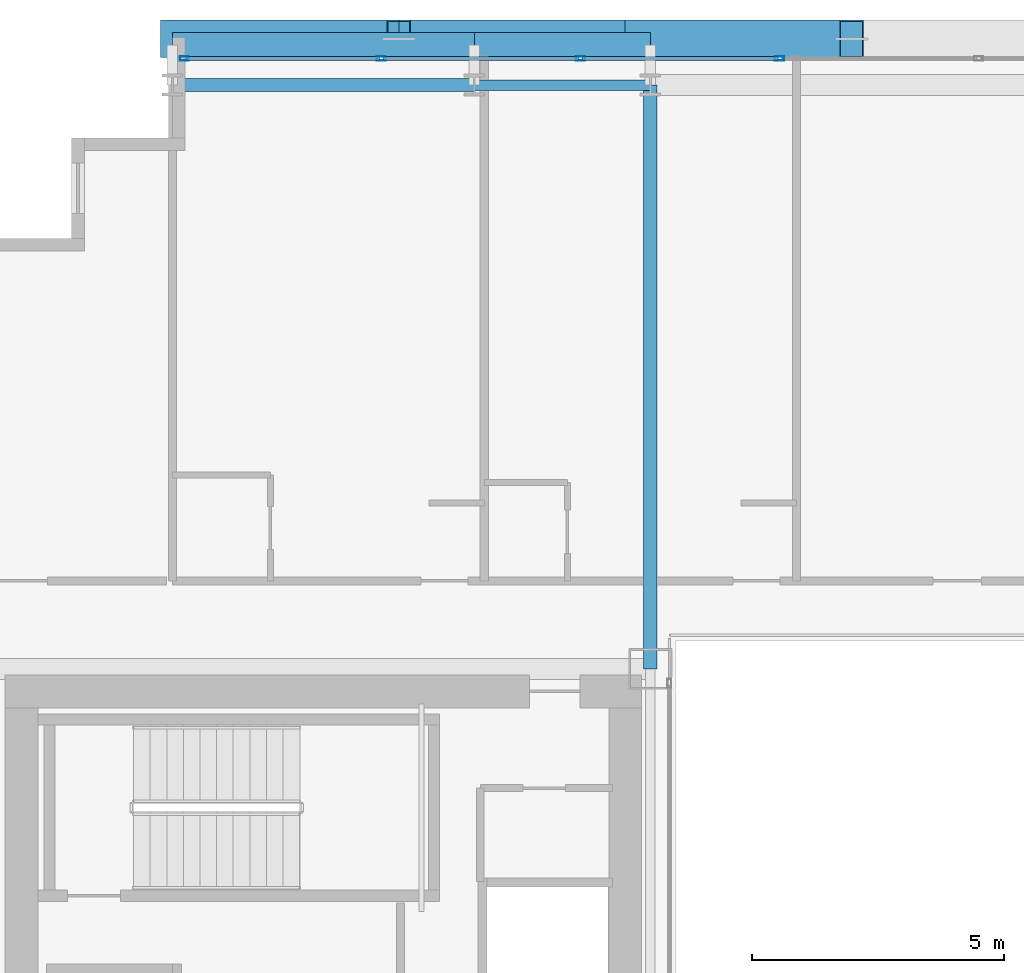
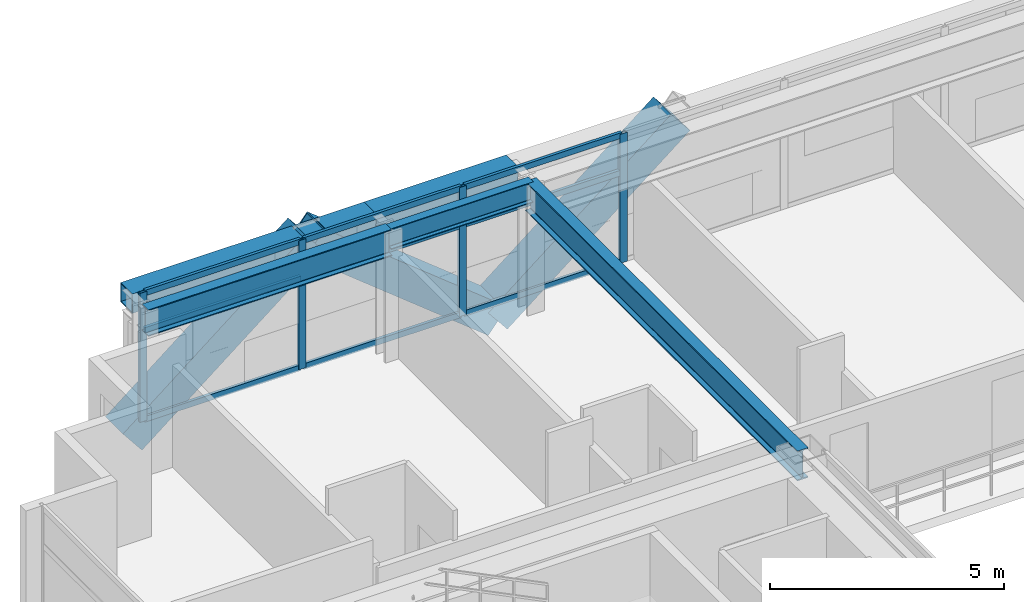
# One storey, part 21 of 39: 16 members, 5 beams, 1 element without a shape of its own.
"""IFC4 building model written with IfcOpenShell, lengths in metres."""

from ifc_helpers import new_model, si_unit, direction, frame, origin, origin_2d, place, context, subcontext, project, spatial, hollow_rectangle, i_section, extrude, source, transform, mapped, material, layer, layer_set, material_profile, profile_set, type_object, element, aggregate, save


model = new_model("IFC4")

# Units and contexts
model_context = context("Model", 3, precision=1e-05, world=origin(), true_north=direction((0.0, 1.0)))
body_context = subcontext(model_context, "Body", "Model", "MODEL_VIEW")
ifc_project = project(units=[si_unit("LENGTHUNIT", "METRE"), si_unit("AREAUNIT", "SQUARE_METRE"), si_unit("VOLUMEUNIT", "CUBIC_METRE"), si_unit("PLANEANGLEUNIT", "RADIAN"), si_unit("MASSUNIT", "GRAM", prefix="KILO")], contexts=[model_context])

# Site, building, storey
site_placement = place(None, origin())
site = spatial("IfcSite", under=ifc_project, at=site_placement, CompositionType="ELEMENT")
building_placement = place(site_placement, origin())
building = spatial("IfcBuilding", under=site, at=building_placement, Name="Ocotamira Hotel", CompositionType="ELEMENT")
storey_placement = place(building_placement, frame((0.0, 0.0, 126.0)))
storey = spatial("IfcBuildingStorey", under=building, at=storey_placement, Name="L31", CompositionType="ELEMENT", Elevation=126.0)

# Beams
ifc_material_1 = material(Name="Steel ASTM A992 Grade 50", Category="steel")
ifc_material_profile_1 = material_profile(ifc_material_1, i_section(OverallWidth=0.256103515625, OverallDepth=0.693115234375, WebThickness=0.014404296875, FlangeThickness=0.023681640625, FilletRadius=0.01611328125, at=origin_2d()), Name="W27X114")
ifc_profile_set_1 = profile_set([ifc_material_profile_1], Name="Steel ASTM A992 Grade 50")
beam_type_1 = type_object("IfcBeamType", Name="BM-PRIM-W27X114", PredefinedType="BEAM", material=ifc_profile_set_1)
shared_shape_1 = source(origin(), body_context, "Body", "SweptSolid", [
    extrude(i_section(OverallWidth=0.256103515625, OverallDepth=0.693115234375, WebThickness=0.014404296875, FlangeThickness=0.023681640625, FilletRadius=0.01611328125, at=origin_2d()), origin(), (0.0, 0.0, 1.0), 6.0),
])
beam_1_placement = place(storey_placement, frame((14.0, 49.050048828125, 3.013427734375), z_axis=(1.0, 0.0, 0.0), x_axis=(0.0, 1.0, 0.0)))
element("IfcBeam", 1, at=beam_1_placement, inside=storey, type_object=beam_type_1, Name="L31 Girder Y49.05 X14-20", PredefinedType="BEAM", context=body_context, shape_type="MappedRepresentation", body=[
    mapped(shared_shape_1, transform((0.0, 0.0, 0.0), scale=1.0)),
])
ifc_material_profile_2 = material_profile(ifc_material_1, i_section(OverallWidth=0.2099609375, OverallDepth=0.537109375, WebThickness=0.010986328125, FlangeThickness=0.017333984375, FilletRadius=0.012939453125, at=origin_2d()), Name="W21X68")
ifc_profile_set_2 = profile_set([ifc_material_profile_2], Name="Steel ASTM A992 Grade 50")
beam_type_2 = type_object("IfcBeamType", Name="BM-SEC-W21X68", PredefinedType="JOIST", material=ifc_profile_set_2)
shared_shape_2 = source(origin(), body_context, "Body", "SweptSolid", [
    extrude(i_section(OverallWidth=0.2099609375, OverallDepth=0.537109375, WebThickness=0.010986328125, FlangeThickness=0.017333984375, FilletRadius=0.012939453125, at=origin_2d()), origin(), (0.0, 0.0, 1.0), 3.5),
])
beam_2_placement = place(storey_placement, frame((20.0, 49.050048828125, 3.091552734375), z_axis=(1.0, 0.0, 0.0), x_axis=(0.0, 1.0, 0.0)))
element("IfcBeam", 2, at=beam_2_placement, inside=storey, type_object=beam_type_2, Name="L31 Girder Y49.05 X20-23.5", PredefinedType="JOIST", context=body_context, shape_type="MappedRepresentation", body=[
    mapped(shared_shape_2, transform((0.0, 0.0, 0.0), scale=1.0)),
])
ifc_material_profile_3 = material_profile(ifc_material_1, i_section(OverallWidth=0.26611328125, OverallDepth=0.779052734375, WebThickness=0.0166015625, FlangeThickness=0.030029296875, FilletRadius=0.01806640625, at=origin_2d()), Name="W30X148")
ifc_profile_set_3 = profile_set([ifc_material_profile_3], Name="Steel ASTM A992 Grade 50")
beam_type_3 = type_object("IfcBeamType", Name="BM-GIRD-W30X148", PredefinedType="BEAM", material=ifc_profile_set_3)
shared_shape_3 = source(origin(), body_context, "Body", "SweptSolid", [
    extrude(i_section(OverallWidth=0.26611328125, OverallDepth=0.779052734375, WebThickness=0.0166015625, FlangeThickness=0.030029296875, FilletRadius=0.01806640625, at=origin_2d()), origin(), (0.0, 0.0, 1.0), 11.60009765625),
])
beam_3_placement = place(storey_placement, frame((23.5, 37.449951171875, 2.970458984375), z_axis=(0.0, 1.0, 0.0), x_axis=(-1.0, 0.0, 0.0)))
element("IfcBeam", 3, at=beam_3_placement, inside=storey, type_object=beam_type_3, Name="L31 Beam X23.5 Y37.45-49.05", PredefinedType="BEAM", context=body_context, shape_type="MappedRepresentation", body=[
    mapped(shared_shape_3, transform((0.0, 0.0, 0.0), scale=1.0)),
])
ifc_material_2 = material(Name="Steel ASTM A500 Grade C", Category="steel")
ifc_material_profile_4 = material_profile(ifc_material_2, hollow_rectangle(XDim=0.5, YDim=0.5, WallThickness=0.02001953125, at=origin_2d()), Name="HSS500X500X20")
ifc_profile_set_4 = profile_set([ifc_material_profile_4], Name="Steel ASTM A500 Grade C")
beam_type_4 = type_object("IfcBeamType", Name="BM-SPAN-HSS500", PredefinedType="USERDEFINED", material=ifc_profile_set_4)
shared_shape_4 = source(origin(), body_context, "Body", "SweptSolid", [
    extrude(hollow_rectangle(XDim=0.5, YDim=0.5, WallThickness=0.02001953125, at=origin_2d()), origin(), (0.0, 0.0, 1.0), 6.0),
])
beam_4_placement = place(storey_placement, frame((14.0, 49.85009765625, 3.110107421875), z_axis=(1.0, 0.0, 0.0), x_axis=(0.0, 1.0, 0.0)))
element("IfcBeam", 4, at=beam_4_placement, inside=storey, type_object=beam_type_4, Name="L31 Edge Spandrel N X14-20", ObjectType="SPANDREL", PredefinedType="USERDEFINED", context=body_context, shape_type="MappedRepresentation", body=[
    mapped(shared_shape_4, transform((0.0, 0.0, 0.0), scale=1.0)),
])
shared_shape_5 = source(origin(), body_context, "Body", "SweptSolid", [
    extrude(hollow_rectangle(XDim=0.5, YDim=0.5, WallThickness=0.02001953125, at=origin_2d()), origin(), (0.0, 0.0, 1.0), 3.5),
])
beam_5_placement = place(storey_placement, frame((20.0, 49.85009765625, 3.110107421875), z_axis=(1.0, 0.0, 0.0), x_axis=(0.0, 1.0, 0.0)))
element("IfcBeam", 5, at=beam_5_placement, inside=storey, type_object=beam_type_4, Name="L31 Edge Spandrel N X20-23.5", ObjectType="SPANDREL", PredefinedType="USERDEFINED", context=body_context, shape_type="MappedRepresentation", body=[
    mapped(shared_shape_5, transform((0.0, 0.0, 0.0), scale=1.0)),
])

# Members
ifc_material_3 = material(Name="Pale-metal coated steel ASTM A913 Grade 65", Category="steel")
ifc_material_profile_5 = material_profile(ifc_material_3, hollow_rectangle(XDim=0.75, YDim=0.75, WallThickness=0.028076171875, at=origin_2d()), Name="BOX750X750X28")
ifc_profile_set_5 = profile_set([ifc_material_profile_5], Name="Pale-metal coated steel ASTM A913 Grade 65")
member_type_1 = type_object("IfcMemberType", Name="MEM-EXO-BOX750", PredefinedType="BRACE", material=ifc_profile_set_5)
shared_shape_6 = source(origin(), body_context, "Body", "SweptSolid", [
    extrude(hollow_rectangle(XDim=0.75, YDim=0.75, WallThickness=0.028076171875, at=origin_2d()), origin(), (0.0, 0.0, 1.0), 5.762939453125),
])
for number, where, z_axis, x_axis, name in (
    (6, (14.0, 49.969970703125, -0.489990234375), (0.780860543151, 0.0, 0.624705380279), (0.0, 1.0, 0.0), "L31 Exoskeleton Diagrid N0.1"),
    (7, (23.0, 49.969970703125, -0.489990234375), (-0.780860543151, 0.0, 0.624705380279), (0.0, -1.0, 0.0), "L31 Exoskeleton Diagrid N0.2"),
    (8, (23.0, 49.969970703125, -0.489990234375), (0.780860543151, 0.0, 0.624705380279), (0.0, 1.0, 0.0), "L31 Exoskeleton Diagrid N1.1"),
):
    element("IfcMember", number, at=place(storey_placement, frame(where, z_axis=z_axis, x_axis=x_axis)), inside=storey, type_object=member_type_1, Name=name, PredefinedType="BRACE", context=body_context, shape_type="MappedRepresentation", body=[
        mapped(shared_shape_6, transform((0.0, 0.0, 0.0), scale=1.0)),
    ])

# Curtain wall, members
ifc_material_4 = material(Name="Anodised pale-metal aluminium and solar glass", Category="aluminium")
ifc_layer = layer(ifc_material_4, 0.179931640625)
ifc_layer_set = layer_set([ifc_layer], Name="Anodised pale-metal aluminium and solar glass")
curtain_wall_type = type_object("IfcCurtainWallType", Name="CW-SYS3-Z2", PredefinedType="NOTDEFINED", material=ifc_layer_set)
curtain_wall_placement = place(storey_placement, origin())
curtain_wall = element("IfcCurtainWall", 9, at=curtain_wall_placement, inside=storey, type_object=curtain_wall_type, Name="L31 Curtain Wall CW-3 CW-L31-N", PredefinedType="NOTDEFINED")
ifc_material_5 = material(Name="Anodised pale-metal aluminium 6063-T6", Category="aluminium")
ifc_material_profile_6 = material_profile(ifc_material_5, hollow_rectangle(XDim=0.074951171875, YDim=0.14990234375, WallThickness=0.006103515625, at=origin_2d()), Name="HSS150X75X6")
ifc_profile_set_6 = profile_set([ifc_material_profile_6], Name="Anodised pale-metal aluminium 6063-T6")
member_type_2 = type_object("IfcMemberType", Name="CWT-150X75", PredefinedType="USERDEFINED", material=ifc_profile_set_6)
shared_shape_7 = source(origin(), body_context, "Body", "SweptSolid", [
    extrude(hollow_rectangle(XDim=0.074951171875, YDim=0.14990234375, WallThickness=0.006103515625, at=origin_2d()), origin(), (0.0, 0.0, 1.0), 3.83544921875),
])
member_1_placement = place(storey_placement, frame((14.280029296875, 49.580078125, 0.03759765625), z_axis=(1.0, 0.0, 0.0), x_axis=(0.0, 1.0, 0.0)))
member_1 = element("IfcMember", 10, at=member_1_placement, type_object=member_type_2, Name="CW-3 transom 1.1", ObjectType="TRANSOM", PredefinedType="USERDEFINED", context=body_context, shape_type="MappedRepresentation", body=[
    mapped(shared_shape_7, transform((0.0, 0.0, 0.0), scale=1.0)),
])
member_2_placement = place(storey_placement, frame((14.280029296875, 49.580078125, 2.35009765625), z_axis=(1.0, 0.0, 0.0), x_axis=(0.0, 1.0, 0.0)))
member_2 = element("IfcMember", 11, at=member_2_placement, type_object=member_type_2, Name="CW-3 transom 1.2", ObjectType="TRANSOM", PredefinedType="USERDEFINED", context=body_context, shape_type="MappedRepresentation", body=[
    mapped(shared_shape_7, transform((0.0, 0.0, 0.0), scale=1.0)),
])
member_3_placement = place(storey_placement, frame((14.280029296875, 49.580078125, 3.322509765625), z_axis=(1.0, 0.0, 0.0), x_axis=(0.0, 1.0, 0.0)))
member_3 = element("IfcMember", 12, at=member_3_placement, type_object=member_type_2, Name="CW-3 transom 1.3", ObjectType="TRANSOM", PredefinedType="USERDEFINED", context=body_context, shape_type="MappedRepresentation", body=[
    mapped(shared_shape_7, transform((0.0, 0.0, 0.0), scale=1.0)),
])
shared_shape_8 = source(origin(), body_context, "Body", "SweptSolid", [
    extrude(hollow_rectangle(XDim=0.074951171875, YDim=0.14990234375, WallThickness=0.006103515625, at=origin_2d()), origin(), (0.0, 0.0, 1.0), 3.87548828125),
])
member_4_placement = place(storey_placement, frame((18.195556640625, 49.580078125, 0.03759765625), z_axis=(1.0, 0.0, 0.0), x_axis=(0.0, 1.0, 0.0)))
member_4 = element("IfcMember", 13, at=member_4_placement, type_object=member_type_2, Name="CW-3 transom 2.1", ObjectType="TRANSOM", PredefinedType="USERDEFINED", context=body_context, shape_type="MappedRepresentation", body=[
    mapped(shared_shape_8, transform((0.0, 0.0, 0.0), scale=1.0)),
])
member_5_placement = place(storey_placement, frame((18.195556640625, 49.580078125, 2.35009765625), z_axis=(1.0, 0.0, 0.0), x_axis=(0.0, 1.0, 0.0)))
member_5 = element("IfcMember", 14, at=member_5_placement, type_object=member_type_2, Name="CW-3 transom 2.2", ObjectType="TRANSOM", PredefinedType="USERDEFINED", context=body_context, shape_type="MappedRepresentation", body=[
    mapped(shared_shape_8, transform((0.0, 0.0, 0.0), scale=1.0)),
])
member_6_placement = place(storey_placement, frame((18.195556640625, 49.580078125, 3.322509765625), z_axis=(1.0, 0.0, 0.0), x_axis=(0.0, 1.0, 0.0)))
member_6 = element("IfcMember", 15, at=member_6_placement, type_object=member_type_2, Name="CW-3 transom 2.3", ObjectType="TRANSOM", PredefinedType="USERDEFINED", context=body_context, shape_type="MappedRepresentation", body=[
    mapped(shared_shape_8, transform((0.0, 0.0, 0.0), scale=1.0)),
])
member_7_placement = place(storey_placement, frame((22.151123046875, 49.580078125, 0.03759765625), z_axis=(1.0, 0.0, 0.0), x_axis=(0.0, 1.0, 0.0)))
member_7 = element("IfcMember", 16, at=member_7_placement, type_object=member_type_2, Name="CW-3 transom 3.1", ObjectType="TRANSOM", PredefinedType="USERDEFINED", context=body_context, shape_type="MappedRepresentation", body=[
    mapped(shared_shape_8, transform((0.0, 0.0, 0.0), scale=1.0)),
])
member_8_placement = place(storey_placement, frame((22.151123046875, 49.580078125, 2.35009765625), z_axis=(1.0, 0.0, 0.0), x_axis=(0.0, 1.0, 0.0)))
member_8 = element("IfcMember", 17, at=member_8_placement, type_object=member_type_2, Name="CW-3 transom 3.2", ObjectType="TRANSOM", PredefinedType="USERDEFINED", context=body_context, shape_type="MappedRepresentation", body=[
    mapped(shared_shape_8, transform((0.0, 0.0, 0.0), scale=1.0)),
])
member_9_placement = place(storey_placement, frame((22.151123046875, 49.580078125, 3.322509765625), z_axis=(1.0, 0.0, 0.0), x_axis=(0.0, 1.0, 0.0)))
member_9 = element("IfcMember", 18, at=member_9_placement, type_object=member_type_2, Name="CW-3 transom 3.3", ObjectType="TRANSOM", PredefinedType="USERDEFINED", context=body_context, shape_type="MappedRepresentation", body=[
    mapped(shared_shape_8, transform((0.0, 0.0, 0.0), scale=1.0)),
])
ifc_material_profile_7 = material_profile(ifc_material_5, hollow_rectangle(XDim=0.080078125, YDim=0.179931640625, WallThickness=0.006103515625, at=origin_2d()), Name="HSS180X80X6")
ifc_profile_set_7 = profile_set([ifc_material_profile_7], Name="Anodised pale-metal aluminium 6063-T6")
member_type_3 = type_object("IfcMemberType", Name="CWM-180X75", PredefinedType="MULLION", material=ifc_profile_set_7)
shared_shape_9 = source(origin(), body_context, "Body", "SweptSolid", [
    extrude(hollow_rectangle(XDim=0.080078125, YDim=0.179931640625, WallThickness=0.006103515625, at=origin_2d()), origin(), (0.0, 0.0, 1.0), 3.360107421875),
])
member_10_placement = place(storey_placement, frame((14.239990234375, 49.580078125, 0.0), z_axis=(0.0, 0.0, 1.0), x_axis=(0.0, 1.0, 0.0)))
member_10 = element("IfcMember", 19, at=member_10_placement, type_object=member_type_3, Name="CW-3 mullion 1", PredefinedType="MULLION", context=body_context, shape_type="MappedRepresentation", body=[
    mapped(shared_shape_9, transform((0.0, 0.0, 0.0), scale=1.0)),
])
member_11_placement = place(storey_placement, frame((18.155517578125, 49.580078125, 0.0), z_axis=(0.0, 0.0, 1.0), x_axis=(0.0, 1.0, 0.0)))
member_11 = element("IfcMember", 20, at=member_11_placement, type_object=member_type_3, Name="CW-3 mullion 2", PredefinedType="MULLION", context=body_context, shape_type="MappedRepresentation", body=[
    mapped(shared_shape_9, transform((0.0, 0.0, 0.0), scale=1.0)),
])
member_12_placement = place(storey_placement, frame((22.111083984375, 49.580078125, 0.0), z_axis=(0.0, 0.0, 1.0), x_axis=(0.0, 1.0, 0.0)))
member_12 = element("IfcMember", 21, at=member_12_placement, type_object=member_type_3, Name="CW-3 mullion 3", PredefinedType="MULLION", context=body_context, shape_type="MappedRepresentation", body=[
    mapped(shared_shape_9, transform((0.0, 0.0, 0.0), scale=1.0)),
])
member_13_placement = place(storey_placement, frame((26.066650390625, 49.580078125, 0.0), z_axis=(0.0, 0.0, 1.0), x_axis=(0.0, 1.0, 0.0)))
member_13 = element("IfcMember", 22, at=member_13_placement, type_object=member_type_3, Name="CW-3 mullion 4", PredefinedType="MULLION", context=body_context, shape_type="MappedRepresentation", body=[
    mapped(shared_shape_9, transform((0.0, 0.0, 0.0), scale=1.0)),
])
aggregate(curtain_wall, [member_10, member_11, member_12, member_13, member_1, member_2, member_3, member_4, member_5, member_6, member_7, member_8, member_9])

save(model, "model.ifc")
